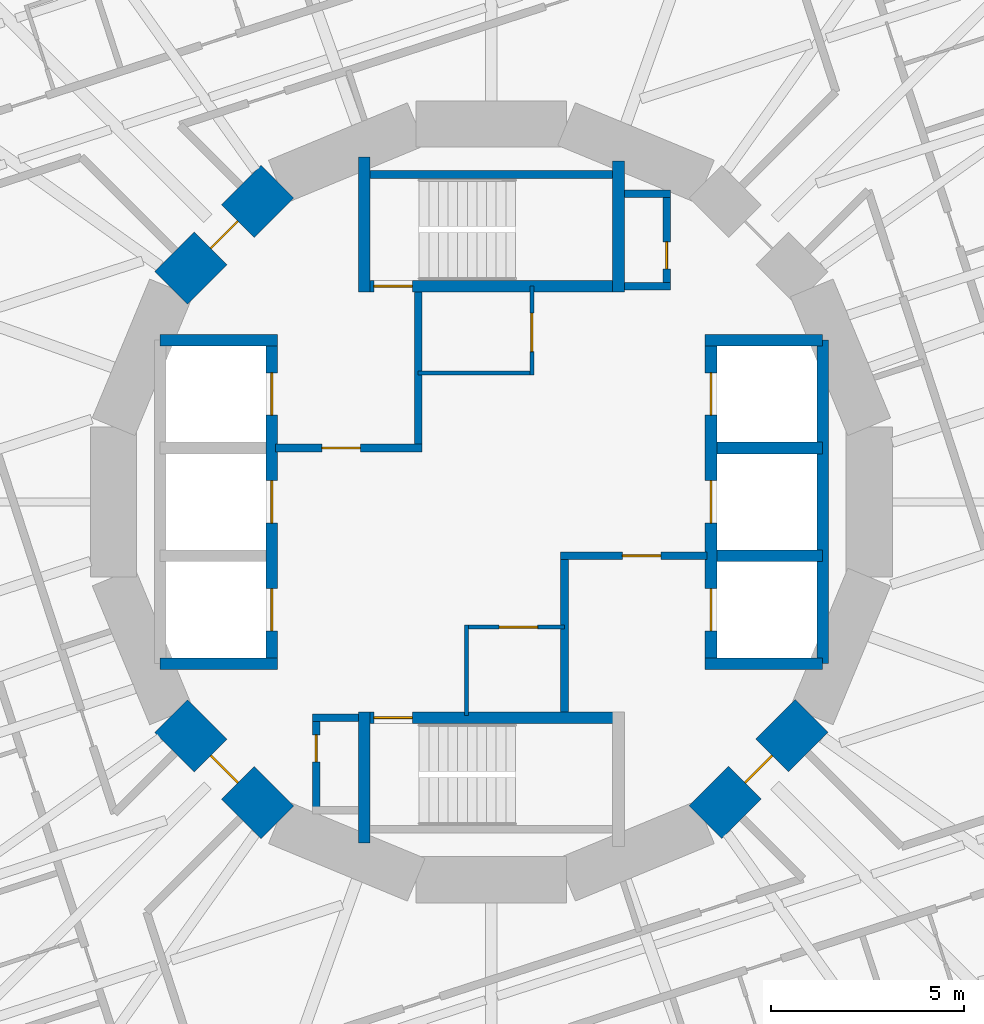
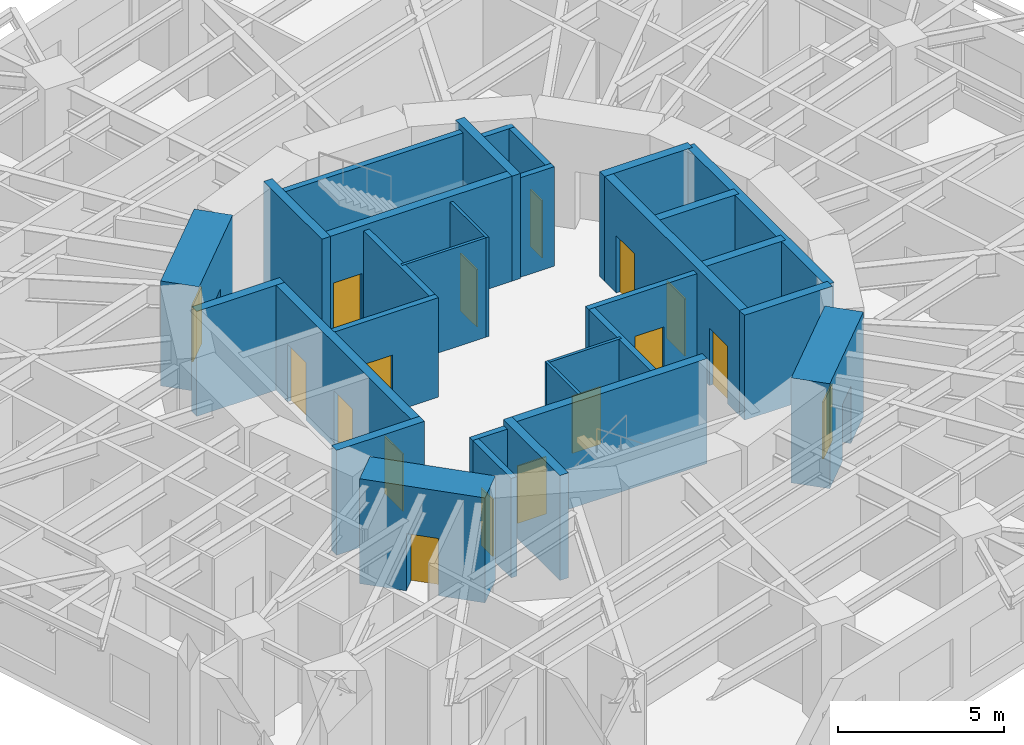
# One storey, part 6 of 10: 31 walls, 17 doors, 17 openings.
"""IFC4 building model written with IfcOpenShell, lengths in metres."""

from ifc_helpers import new_model, si_unit, direction, frame, frame_2d, origin, place, context, subcontext, project, spatial, rectangle, extrude, material, layer, layer_set, type_object, element, fill, save


model = new_model("IFC4")

# Units and contexts
model_context = context("Model", 3, precision=1e-05, world=origin(), true_north=direction((0.0, 1.0)))
body_context = subcontext(model_context, "Body", "Model", "MODEL_VIEW")
ifc_project = project(units=[si_unit("LENGTHUNIT", "METRE"), si_unit("AREAUNIT", "SQUARE_METRE"), si_unit("VOLUMEUNIT", "CUBIC_METRE"), si_unit("PLANEANGLEUNIT", "RADIAN"), si_unit("MASSUNIT", "GRAM", prefix="KILO")], contexts=[model_context])

# Site, building, storey
site_placement = place(None, origin())
site = spatial("IfcSite", under=ifc_project, at=site_placement, CompositionType="ELEMENT")
building_placement = place(site_placement, origin())
building = spatial("IfcBuilding", under=site, at=building_placement, Name="Nakasero Lantern House", CompositionType="ELEMENT")
storey_placement = place(building_placement, frame((0.0, 0.0, 141.800048828125)))
storey = spatial("IfcBuildingStorey", under=building, at=storey_placement, Name="L34", CompositionType="ELEMENT", Elevation=141.800048828125)

# Wall, openings, doors
ifc_material_1 = material(Name="Concrete C50/60", Category="concrete")
ifc_layer_1 = layer(ifc_material_1, 0.300048828125)
ifc_layer_set_1 = layer_set([ifc_layer_1], Name="Core inner wall 300")
wall_type_1 = type_object("IfcWallType", Name="Core inner wall 300", PredefinedType="SHEAR", material=ifc_layer_set_1)
wall_1_placement = place(storey_placement, frame((-5.699951171875, -4.199951171875, 0.0), z_axis=(0.0, 0.0, 1.0), x_axis=(0.0, 1.0, 0.0)))
wall_1 = element("IfcWall", 1, at=wall_1_placement, inside=storey, type_object=wall_type_1, Name="Core inner wall L34 LW", PredefinedType="SHEAR", context=body_context, shape_type="SweptSolid", body=[
    extrude(rectangle(XDim=8.39990234375, YDim=0.300048828125, at=frame_2d((4.199951171875, 0.0))), origin(), (0.0, 0.0, 1.0), 3.849853515625),
])
opening_1_placement = place(wall_1_placement, frame((0.85009765625, 0.0, 0.0)))
opening_1 = element("IfcOpeningElement", 2, at=opening_1_placement, cuts=wall_1, Name="Opening LD", PredefinedType="OPENING", context=body_context, shape_type="SweptSolid", body=[
    extrude(rectangle(XDim=1.10009765625, YDim=2.10009765625, at=frame_2d((0.550048828125, 1.050048828125))), frame((0.0, 0.169921875, 0.0), z_axis=(0.0, -1.0, 0.0), x_axis=(1.0, 0.0, 0.0)), (0.0, 0.0, 1.0), 0.340087890625),
])
opening_2_placement = place(wall_1_placement, frame((3.64990234375, 0.0, 0.0)))
opening_2 = element("IfcOpeningElement", 3, at=opening_2_placement, cuts=wall_1, Name="Opening LD", PredefinedType="OPENING", context=body_context, shape_type="SweptSolid", body=[
    extrude(rectangle(XDim=1.10009765625, YDim=2.10009765625, at=frame_2d((0.550048828125, 1.050048828125))), frame((0.0, 0.169921875, 0.0), z_axis=(0.0, -1.0, 0.0), x_axis=(1.0, 0.0, 0.0)), (0.0, 0.0, 1.0), 0.340087890625),
])
opening_3_placement = place(wall_1_placement, frame((6.449951171875, 0.0, 0.0)))
opening_3 = element("IfcOpeningElement", 4, at=opening_3_placement, cuts=wall_1, Name="Opening LD", PredefinedType="OPENING", context=body_context, shape_type="SweptSolid", body=[
    extrude(rectangle(XDim=1.10009765625, YDim=2.10009765625, at=frame_2d((0.550048828125, 1.050048828125))), frame((0.0, 0.169921875, 0.0), z_axis=(0.0, -1.0, 0.0), x_axis=(1.0, 0.0, 0.0)), (0.0, 0.0, 1.0), 0.340087890625),
])
ifc_material_2 = material(Name="Steel S355", Category="steel")
door_type_1 = type_object("IfcDoorType", Name="Lift landing door E120 1100", OperationType="SLIDING_TO_LEFT", PredefinedType="DOOR", material=ifc_material_2)
door_1_placement = place(opening_1_placement, origin())
door_1 = element("IfcDoor", 5, at=door_1_placement, inside=storey, type_object=door_type_1, Name="Lift landing door LW1", OperationType="SLIDING_TO_LEFT", OverallHeight=2.10009765625, OverallWidth=1.10009765625, PredefinedType="DOOR", context=body_context, shape_type="SweptSolid", body=[
    extrude(rectangle(XDim=1.10009765625, YDim=2.10009765625, at=frame_2d((0.550048828125, 1.050048828125))), frame((0.0, 0.02490234375, 0.0), z_axis=(0.0, -1.0, 0.0), x_axis=(1.0, 0.0, 0.0)), (0.0, 0.0, 1.0), 0.050048828125),
])
fill(opening_1, door_1)
door_2_placement = place(opening_2_placement, origin())
door_2 = element("IfcDoor", 6, at=door_2_placement, inside=storey, type_object=door_type_1, Name="Lift landing door LW2", OperationType="SLIDING_TO_LEFT", OverallHeight=2.10009765625, OverallWidth=1.10009765625, PredefinedType="DOOR", context=body_context, shape_type="SweptSolid", body=[
    extrude(rectangle(XDim=1.10009765625, YDim=2.10009765625, at=frame_2d((0.550048828125, 1.050048828125))), frame((0.0, 0.02490234375, 0.0), z_axis=(0.0, -1.0, 0.0), x_axis=(1.0, 0.0, 0.0)), (0.0, 0.0, 1.0), 0.050048828125),
])
fill(opening_2, door_2)
door_3_placement = place(opening_3_placement, origin())
door_3 = element("IfcDoor", 7, at=door_3_placement, inside=storey, type_object=door_type_1, Name="Lift landing door LW3", OperationType="SLIDING_TO_LEFT", OverallHeight=2.10009765625, OverallWidth=1.10009765625, PredefinedType="DOOR", context=body_context, shape_type="SweptSolid", body=[
    extrude(rectangle(XDim=1.10009765625, YDim=2.10009765625, at=frame_2d((0.550048828125, 1.050048828125))), frame((0.0, 0.02490234375, 0.0), z_axis=(0.0, -1.0, 0.0), x_axis=(1.0, 0.0, 0.0)), (0.0, 0.0, 1.0), 0.050048828125),
])
fill(opening_3, door_3)

wall_2_placement = place(storey_placement, frame((5.699951171875, -4.199951171875, 0.0), z_axis=(0.0, 0.0, 1.0), x_axis=(0.0, 1.0, 0.0)))
wall_2 = element("IfcWall", 8, at=wall_2_placement, inside=storey, type_object=wall_type_1, Name="Core inner wall L34 LE", PredefinedType="SHEAR", context=body_context, shape_type="SweptSolid", body=[
    extrude(rectangle(XDim=8.39990234375, YDim=0.300048828125, at=frame_2d((4.199951171875, 0.0))), origin(), (0.0, 0.0, 1.0), 3.849853515625),
])
opening_4_placement = place(wall_2_placement, frame((0.85009765625, 0.0, 0.0)))
opening_4 = element("IfcOpeningElement", 9, at=opening_4_placement, cuts=wall_2, Name="Opening LD", PredefinedType="OPENING", context=body_context, shape_type="SweptSolid", body=[
    extrude(rectangle(XDim=1.10009765625, YDim=2.10009765625, at=frame_2d((0.550048828125, 1.050048828125))), frame((0.0, 0.169921875, 0.0), z_axis=(0.0, -1.0, 0.0), x_axis=(1.0, 0.0, 0.0)), (0.0, 0.0, 1.0), 0.340087890625),
])
opening_5_placement = place(wall_2_placement, frame((3.64990234375, 0.0, 0.0)))
opening_5 = element("IfcOpeningElement", 10, at=opening_5_placement, cuts=wall_2, Name="Opening LD", PredefinedType="OPENING", context=body_context, shape_type="SweptSolid", body=[
    extrude(rectangle(XDim=1.10009765625, YDim=2.10009765625, at=frame_2d((0.550048828125, 1.050048828125))), frame((0.0, 0.169921875, 0.0), z_axis=(0.0, -1.0, 0.0), x_axis=(1.0, 0.0, 0.0)), (0.0, 0.0, 1.0), 0.340087890625),
])
opening_6_placement = place(wall_2_placement, frame((6.449951171875, 0.0, 0.0)))
opening_6 = element("IfcOpeningElement", 11, at=opening_6_placement, cuts=wall_2, Name="Opening LD", PredefinedType="OPENING", context=body_context, shape_type="SweptSolid", body=[
    extrude(rectangle(XDim=1.10009765625, YDim=2.10009765625, at=frame_2d((0.550048828125, 1.050048828125))), frame((0.0, 0.169921875, 0.0), z_axis=(0.0, -1.0, 0.0), x_axis=(1.0, 0.0, 0.0)), (0.0, 0.0, 1.0), 0.340087890625),
])
door_4_placement = place(opening_4_placement, origin())
door_4 = element("IfcDoor", 12, at=door_4_placement, inside=storey, type_object=door_type_1, Name="Lift landing door LE1", OperationType="SLIDING_TO_LEFT", OverallHeight=2.10009765625, OverallWidth=1.10009765625, PredefinedType="DOOR", context=body_context, shape_type="SweptSolid", body=[
    extrude(rectangle(XDim=1.10009765625, YDim=2.10009765625, at=frame_2d((0.550048828125, 1.050048828125))), frame((0.0, 0.02490234375, 0.0), z_axis=(0.0, -1.0, 0.0), x_axis=(1.0, 0.0, 0.0)), (0.0, 0.0, 1.0), 0.050048828125),
])
fill(opening_4, door_4)
door_5_placement = place(opening_5_placement, origin())
door_5 = element("IfcDoor", 13, at=door_5_placement, inside=storey, type_object=door_type_1, Name="Lift landing door LE2", OperationType="SLIDING_TO_LEFT", OverallHeight=2.10009765625, OverallWidth=1.10009765625, PredefinedType="DOOR", context=body_context, shape_type="SweptSolid", body=[
    extrude(rectangle(XDim=1.10009765625, YDim=2.10009765625, at=frame_2d((0.550048828125, 1.050048828125))), frame((0.0, 0.02490234375, 0.0), z_axis=(0.0, -1.0, 0.0), x_axis=(1.0, 0.0, 0.0)), (0.0, 0.0, 1.0), 0.050048828125),
])
fill(opening_5, door_5)
door_6_placement = place(opening_6_placement, origin())
door_6 = element("IfcDoor", 14, at=door_6_placement, inside=storey, type_object=door_type_1, Name="Lift landing door LE3", OperationType="SLIDING_TO_LEFT", OverallHeight=2.10009765625, OverallWidth=1.10009765625, PredefinedType="DOOR", context=body_context, shape_type="SweptSolid", body=[
    extrude(rectangle(XDim=1.10009765625, YDim=2.10009765625, at=frame_2d((0.550048828125, 1.050048828125))), frame((0.0, 0.02490234375, 0.0), z_axis=(0.0, -1.0, 0.0), x_axis=(1.0, 0.0, 0.0)), (0.0, 0.0, 1.0), 0.050048828125),
])
fill(opening_6, door_6)

# Walls
for number, where, z_axis, x_axis, name in (
    (15, (-8.60009765625, 4.199951171875, 0.0), (0.0, 0.0, 1.0), (1.0, 0.0, 0.0), "Core inner wall L34 LWN"),
    (16, (-8.60009765625, -4.199951171875, 0.0), (0.0, 0.0, 1.0), (1.0, 0.0, 0.0), "Core inner wall L34 LWS"),
    (17, (5.550048828125, 4.199951171875, 0.0), (0.0, 0.0, 1.0), (1.0, 0.0, 0.0), "Core inner wall L34 LEN"),
    (18, (5.550048828125, -4.199951171875, 0.0), (0.0, 0.0, 1.0), (1.0, 0.0, 0.0), "Core inner wall L34 LES"),
):
    element("IfcWall", number, at=place(storey_placement, frame(where, z_axis=z_axis, x_axis=x_axis)), inside=storey, type_object=wall_type_1, Name=name, PredefinedType="SHEAR", context=body_context, shape_type="SweptSolid", body=[
        extrude(rectangle(XDim=3.050048828125, YDim=0.300048828125, at=frame_2d((1.52490234375, 0.0))), origin(), (0.0, 0.0, 1.0), 3.849853515625),
    ])
wall_3_placement = place(storey_placement, frame((8.60009765625, -4.199951171875, 0.0), z_axis=(0.0, 0.0, 1.0), x_axis=(0.0, 1.0, 0.0)))
element("IfcWall", 19, at=wall_3_placement, inside=storey, type_object=wall_type_1, Name="Core inner wall L34 LEB", PredefinedType="SHEAR", context=body_context, shape_type="SweptSolid", body=[
    extrude(rectangle(XDim=8.39990234375, YDim=0.300048828125, at=frame_2d((4.199951171875, 0.0))), origin(), (0.0, 0.0, 1.0), 3.849853515625),
])
for number, where, z_axis, x_axis, name in (
    (20, (5.85009765625, -1.39990234375, 0.0), (0.0, 0.0, 1.0), (1.0, 0.0, 0.0), "Core inner wall L34 LE1"),
    (21, (5.85009765625, 1.39990234375, 0.0), (0.0, 0.0, 1.0), (1.0, 0.0, 0.0), "Core inner wall L34 LE2"),
):
    element("IfcWall", number, at=place(storey_placement, frame(where, z_axis=z_axis, x_axis=x_axis)), inside=storey, type_object=wall_type_1, Name=name, PredefinedType="SHEAR", context=body_context, shape_type="SweptSolid", body=[
        extrude(rectangle(XDim=2.75, YDim=0.300048828125, at=frame_2d((1.375, 0.0))), origin(), (0.0, 0.0, 1.0), 3.849853515625),
    ])

# Wall, opening, door
wall_4_placement = place(storey_placement, frame((-3.449951171875, 5.60009765625, 0.0), z_axis=(0.0, 0.0, 1.0), x_axis=(1.0, 0.0, 0.0)))
wall_4 = element("IfcWall", 22, at=wall_4_placement, inside=storey, type_object=wall_type_1, Name="Core inner wall L34 SN", PredefinedType="SHEAR", context=body_context, shape_type="SweptSolid", body=[
    extrude(rectangle(XDim=6.89990234375, YDim=0.300048828125, at=frame_2d((3.449951171875, 0.0))), origin(), (0.0, 0.0, 1.0), 3.849853515625),
])
opening_7_placement = place(wall_4_placement, frame((0.39990234375, 0.0, 0.0)))
opening_7 = element("IfcOpeningElement", 23, at=opening_7_placement, cuts=wall_4, Name="Opening D05", PredefinedType="OPENING", context=body_context, shape_type="SweptSolid", body=[
    extrude(rectangle(XDim=1.0, YDim=2.10009765625, at=frame_2d((0.5, 1.050048828125))), frame((0.0, 0.169921875, 0.0), z_axis=(0.0, -1.0, 0.0), x_axis=(1.0, 0.0, 0.0)), (0.0, 0.0, 1.0), 0.340087890625),
])
ifc_material_3 = material(Name="Timber C24", Category="wood")
door_type_2 = type_object("IfcDoorType", Name="Core door FD60S 1000", OperationType="SINGLE_SWING_LEFT", PredefinedType="DOOR", material=ifc_material_3)
door_7_placement = place(opening_7_placement, origin())
door_7 = element("IfcDoor", 24, at=door_7_placement, inside=storey, type_object=door_type_2, Name="Door L34 D-ST1", OperationType="SINGLE_SWING_LEFT", OverallHeight=2.10009765625, OverallWidth=1.0, PredefinedType="DOOR", context=body_context, shape_type="SweptSolid", body=[
    extrude(rectangle(XDim=1.0, YDim=2.10009765625, at=frame_2d((0.5, 1.050048828125))), frame((0.0, 0.02490234375, 0.0), z_axis=(0.0, -1.0, 0.0), x_axis=(1.0, 0.0, 0.0)), (0.0, 0.0, 1.0), 0.050048828125),
])
fill(opening_7, door_7)

# Walls
wall_5_placement = place(storey_placement, frame((-3.300048828125, 5.449951171875, 0.0), z_axis=(0.0, 0.0, 1.0), x_axis=(0.0, 1.0, 0.0)))
element("IfcWall", 25, at=wall_5_placement, inside=storey, type_object=wall_type_1, Name="Core inner wall L34 SNW", PredefinedType="SHEAR", context=body_context, shape_type="SweptSolid", body=[
    extrude(rectangle(XDim=3.5, YDim=0.300048828125, at=frame_2d((1.75, 0.0))), origin(), (0.0, 0.0, 1.0), 3.849853515625),
])
wall_6_placement = place(storey_placement, frame((3.300048828125, 5.449951171875, 0.0), z_axis=(0.0, 0.0, 1.0), x_axis=(0.0, 1.0, 0.0)))
element("IfcWall", 26, at=wall_6_placement, inside=storey, type_object=wall_type_1, Name="Core inner wall L34 SNE", PredefinedType="SHEAR", context=body_context, shape_type="SweptSolid", body=[
    extrude(rectangle(XDim=3.400146484375, YDim=0.300048828125, at=frame_2d((1.7001953125, 0.0))), origin(), (0.0, 0.0, 1.0), 3.849853515625),
])

# Wall, opening, door
wall_7_placement = place(storey_placement, frame((-3.449951171875, -5.60009765625, 0.0), z_axis=(0.0, 0.0, 1.0), x_axis=(1.0, 0.0, 0.0)))
wall_7 = element("IfcWall", 27, at=wall_7_placement, inside=storey, type_object=wall_type_1, Name="Core inner wall L34 SS", PredefinedType="SHEAR", context=body_context, shape_type="SweptSolid", body=[
    extrude(rectangle(XDim=6.89990234375, YDim=0.300048828125, at=frame_2d((3.449951171875, 0.0))), origin(), (0.0, 0.0, 1.0), 3.849853515625),
])
opening_8_placement = place(wall_7_placement, frame((0.39990234375, 0.0, 0.0)))
opening_8 = element("IfcOpeningElement", 28, at=opening_8_placement, cuts=wall_7, Name="Opening D05", PredefinedType="OPENING", context=body_context, shape_type="SweptSolid", body=[
    extrude(rectangle(XDim=1.0, YDim=2.10009765625, at=frame_2d((0.5, 1.050048828125))), frame((0.0, 0.169921875, 0.0), z_axis=(0.0, -1.0, 0.0), x_axis=(1.0, 0.0, 0.0)), (0.0, 0.0, 1.0), 0.340087890625),
])
door_8_placement = place(opening_8_placement, origin())
door_8 = element("IfcDoor", 29, at=door_8_placement, inside=storey, type_object=door_type_2, Name="Door L34 D-ST2", OperationType="SINGLE_SWING_LEFT", OverallHeight=2.10009765625, OverallWidth=1.0, PredefinedType="DOOR", context=body_context, shape_type="SweptSolid", body=[
    extrude(rectangle(XDim=1.0, YDim=2.10009765625, at=frame_2d((0.5, 1.050048828125))), frame((0.0, 0.02490234375, 0.0), z_axis=(0.0, -1.0, 0.0), x_axis=(1.0, 0.0, 0.0)), (0.0, 0.0, 1.0), 0.050048828125),
])
fill(opening_8, door_8)

# Walls
wall_8_placement = place(storey_placement, frame((-3.300048828125, -5.449951171875, 0.0), z_axis=(0.0, 0.0, 1.0), x_axis=(0.0, -1.0, 0.0)))
element("IfcWall", 30, at=wall_8_placement, inside=storey, type_object=wall_type_1, Name="Core inner wall L34 SSW", PredefinedType="SHEAR", context=body_context, shape_type="SweptSolid", body=[
    extrude(rectangle(XDim=3.400146484375, YDim=0.300048828125, at=frame_2d((1.7001953125, 0.0))), origin(), (0.0, 0.0, 1.0), 3.849853515625),
])
ifc_material_4 = material(Name="Blockwork", Category="masonry")
ifc_layer_2 = layer(ifc_material_4, 0.10009765625)
ifc_layer_set_2 = layer_set([ifc_layer_2], Name="Core room wall 100")
wall_type_2 = type_object("IfcWallType", Name="Core room wall 100", PredefinedType="PARTITIONING", material=ifc_layer_set_2)
wall_9_placement = place(storey_placement, frame((-1.89990234375, 3.35009765625, 0.0), z_axis=(0.0, 0.0, 1.0), x_axis=(1.0, 0.0, 0.0)))
element("IfcWall", 31, at=wall_9_placement, inside=storey, type_object=wall_type_2, Name="Core room wall L34 CR-NES", PredefinedType="PARTITIONING", context=body_context, shape_type="SweptSolid", body=[
    extrude(rectangle(XDim=3.0, YDim=0.10009765625, at=frame_2d((1.5, 0.0))), origin(), (0.0, 0.0, 1.0), 3.64990234375),
])

# Wall, opening, door
wall_10_placement = place(storey_placement, frame((1.050048828125, 3.300048828125, 0.0), z_axis=(0.0, 0.0, 1.0), x_axis=(0.0, 1.0, 0.0)))
wall_10 = element("IfcWall", 32, at=wall_10_placement, inside=storey, type_object=wall_type_2, Name="Core room wall L34 CR-NEE", PredefinedType="PARTITIONING", context=body_context, shape_type="SweptSolid", body=[
    extrude(rectangle(XDim=2.300048828125, YDim=0.10009765625, at=frame_2d((1.14990234375, 0.0))), origin(), (0.0, 0.0, 1.0), 3.64990234375),
])
opening_9_placement = place(wall_10_placement, frame((0.60009765625, 0.0, 0.0)))
opening_9 = element("IfcOpeningElement", 33, at=opening_9_placement, cuts=wall_10, Name="Opening D13", PredefinedType="OPENING", context=body_context, shape_type="SweptSolid", body=[
    extrude(rectangle(XDim=1.0, YDim=2.10009765625, at=frame_2d((0.5, 1.050048828125))), frame((0.0, 0.070068359375, 0.0), z_axis=(0.0, -1.0, 0.0), x_axis=(1.0, 0.0, 0.0)), (0.0, 0.0, 1.0), 0.14013671875),
])
ifc_material_5 = material(Name="Steel S355", Category="steel")
door_type_3 = type_object("IfcDoorType", Name="Plant room door FD60 1000", OperationType="SINGLE_SWING_LEFT", PredefinedType="DOOR", material=ifc_material_5)
door_9_placement = place(opening_9_placement, origin())
door_9 = element("IfcDoor", 34, at=door_9_placement, inside=storey, type_object=door_type_3, Name="Door L34 D-CR-NE", OperationType="SINGLE_SWING_LEFT", OverallHeight=2.10009765625, OverallWidth=1.0, PredefinedType="DOOR", context=body_context, shape_type="SweptSolid", body=[
    extrude(rectangle(XDim=1.0, YDim=2.10009765625, at=frame_2d((0.5, 1.050048828125))), frame((0.0, 0.02490234375, 0.0), z_axis=(0.0, -1.0, 0.0), x_axis=(1.0, 0.0, 0.0)), (0.0, 0.0, 1.0), 0.050048828125),
])
fill(opening_9, door_9)

wall_11_placement = place(storey_placement, frame((-0.699951171875, -3.25, 0.0), z_axis=(0.0, 0.0, 1.0), x_axis=(1.0, 0.0, 0.0)))
wall_11 = element("IfcWall", 35, at=wall_11_placement, inside=storey, type_object=wall_type_2, Name="Core room wall L34 CR-SWN", PredefinedType="PARTITIONING", context=body_context, shape_type="SweptSolid", body=[
    extrude(rectangle(XDim=2.599853515625, YDim=0.10009765625, at=frame_2d((1.2998046875, 0.0))), origin(), (0.0, 0.0, 1.0), 3.64990234375),
])
opening_10_placement = place(wall_11_placement, frame((0.89990234375, 0.0, 0.0)))
opening_10 = element("IfcOpeningElement", 36, at=opening_10_placement, cuts=wall_11, Name="Opening D07", PredefinedType="OPENING", context=body_context, shape_type="SweptSolid", body=[
    extrude(rectangle(XDim=1.0, YDim=2.10009765625, at=frame_2d((0.5, 1.050048828125))), frame((0.0, 0.070068359375, 0.0), z_axis=(0.0, -1.0, 0.0), x_axis=(1.0, 0.0, 0.0)), (0.0, 0.0, 1.0), 0.14013671875),
])
ifc_material_6 = material(Name="Timber C24", Category="wood")
door_type_4 = type_object("IfcDoorType", Name="Room door FD30S 1000", OperationType="SINGLE_SWING_LEFT", PredefinedType="DOOR", material=ifc_material_6)
door_10_placement = place(opening_10_placement, origin())
door_10 = element("IfcDoor", 37, at=door_10_placement, inside=storey, type_object=door_type_4, Name="Door L34 D-CR-SW", OperationType="SINGLE_SWING_RIGHT", OverallHeight=2.10009765625, OverallWidth=1.0, PredefinedType="DOOR", context=body_context, shape_type="SweptSolid", body=[
    extrude(rectangle(XDim=1.0, YDim=2.10009765625, at=frame_2d((0.5, 1.050048828125))), frame((0.0, 0.02490234375, 0.0), z_axis=(0.0, -1.0, 0.0), x_axis=(1.0, 0.0, 0.0)), (0.0, 0.0, 1.0), 0.050048828125),
])
fill(opening_10, door_10)

# Wall
wall_12_placement = place(storey_placement, frame((-0.64990234375, -5.550048828125, 0.0), z_axis=(0.0, 0.0, 1.0), x_axis=(0.0, 1.0, 0.0)))
element("IfcWall", 38, at=wall_12_placement, inside=storey, type_object=wall_type_2, Name="Core room wall L34 CR-SWW", PredefinedType="PARTITIONING", context=body_context, shape_type="SweptSolid", body=[
    extrude(rectangle(XDim=2.35009765625, YDim=0.10009765625, at=frame_2d((1.175048828125, 0.0))), origin(), (0.0, 0.0, 1.0), 3.64990234375),
])

# Wall, opening, door
ifc_material_7 = material(Name="Concrete C50/60", Category="concrete")
ifc_layer_3 = layer(ifc_material_7, 1.199951171875)
ifc_layer_set_3 = layer_set([ifc_layer_3], Name="Core wall 1200")
wall_type_3 = type_object("IfcWallType", Name="Core wall 1200", PredefinedType="SHEAR", material=ifc_layer_set_3)
wall_13_placement = place(storey_placement, frame((-5.5556640625, 8.314697265625, 0.0), z_axis=(0.0, 0.0, 1.0), x_axis=(-0.707106781187, -0.707106781187, 0.0)))
wall_13 = element("IfcWall", 39, at=wall_13_placement, inside=storey, type_object=wall_type_3, Name="Core wall L34 facet 6", PredefinedType="SHEAR", context=body_context, shape_type="SweptSolid", body=[
    extrude(rectangle(XDim=3.90185546875, YDim=1.199951171875, at=frame_2d((1.950927734375, 0.0))), origin(), (0.0, 0.0, 1.0), 3.849853515625),
])
opening_11_placement = place(wall_13_placement, frame((1.450927734375, 0.0, 0.0)))
opening_11 = element("IfcOpeningElement", 40, at=opening_11_placement, cuts=wall_13, Name="Opening D05", PredefinedType="OPENING", context=body_context, shape_type="SweptSolid", body=[
    extrude(rectangle(XDim=1.0, YDim=2.10009765625, at=frame_2d((0.5, 1.050048828125))), frame((0.0, 0.619873046875, 0.0), z_axis=(0.0, -1.0, 0.0), x_axis=(1.0, 0.0, 0.0)), (0.0, 0.0, 1.0), 1.239990234375),
])
door_11_placement = place(opening_11_placement, origin())
door_11 = element("IfcDoor", 41, at=door_11_placement, inside=storey, type_object=door_type_2, Name="Door L34 D-CORE06", OperationType="SINGLE_SWING_LEFT", OverallHeight=2.10009765625, OverallWidth=1.0, PredefinedType="DOOR", context=body_context, shape_type="SweptSolid", body=[
    extrude(rectangle(XDim=1.0, YDim=2.10009765625, at=frame_2d((0.5, 1.050048828125))), frame((0.0, 0.02490234375, 0.0), z_axis=(0.0, -1.0, 0.0), x_axis=(1.0, 0.0, 0.0)), (0.0, 0.0, 1.0), 0.050048828125),
])
fill(opening_11, door_11)

wall_14_placement = place(storey_placement, frame((-8.314697265625, -5.5556640625, 0.0), z_axis=(0.0, 0.0, 1.0), x_axis=(0.707106781187, -0.707106781187, 0.0)))
wall_14 = element("IfcWall", 42, at=wall_14_placement, inside=storey, type_object=wall_type_3, Name="Core wall L34 facet 10", PredefinedType="SHEAR", context=body_context, shape_type="SweptSolid", body=[
    extrude(rectangle(XDim=3.90185546875, YDim=1.199951171875, at=frame_2d((1.950927734375, 0.0))), origin(), (0.0, 0.0, 1.0), 3.849853515625),
])
opening_12_placement = place(wall_14_placement, frame((1.450927734375, 0.0, 0.0)))
opening_12 = element("IfcOpeningElement", 43, at=opening_12_placement, cuts=wall_14, Name="Opening D05", PredefinedType="OPENING", context=body_context, shape_type="SweptSolid", body=[
    extrude(rectangle(XDim=1.0, YDim=2.10009765625, at=frame_2d((0.5, 1.050048828125))), frame((0.0, 0.619873046875, 0.0), z_axis=(0.0, -1.0, 0.0), x_axis=(1.0, 0.0, 0.0)), (0.0, 0.0, 1.0), 1.239990234375),
])
door_12_placement = place(opening_12_placement, origin())
door_12 = element("IfcDoor", 44, at=door_12_placement, inside=storey, type_object=door_type_2, Name="Door L34 D-CORE10", OperationType="SINGLE_SWING_LEFT", OverallHeight=2.10009765625, OverallWidth=1.0, PredefinedType="DOOR", context=body_context, shape_type="SweptSolid", body=[
    extrude(rectangle(XDim=1.0, YDim=2.10009765625, at=frame_2d((0.5, 1.050048828125))), frame((0.0, 0.02490234375, 0.0), z_axis=(0.0, -1.0, 0.0), x_axis=(1.0, 0.0, 0.0)), (0.0, 0.0, 1.0), 0.050048828125),
])
fill(opening_12, door_12)

wall_15_placement = place(storey_placement, frame((5.5556640625, -8.314697265625, 0.0), z_axis=(0.0, 0.0, 1.0), x_axis=(0.707106781187, 0.707106781187, 0.0)))
wall_15 = element("IfcWall", 45, at=wall_15_placement, inside=storey, type_object=wall_type_3, Name="Core wall L34 facet 14", PredefinedType="SHEAR", context=body_context, shape_type="SweptSolid", body=[
    extrude(rectangle(XDim=3.90185546875, YDim=1.199951171875, at=frame_2d((1.950927734375, 0.0))), origin(), (0.0, 0.0, 1.0), 3.849853515625),
])
opening_13_placement = place(wall_15_placement, frame((1.450927734375, 0.0, 0.0)))
opening_13 = element("IfcOpeningElement", 46, at=opening_13_placement, cuts=wall_15, Name="Opening D05", PredefinedType="OPENING", context=body_context, shape_type="SweptSolid", body=[
    extrude(rectangle(XDim=1.0, YDim=2.10009765625, at=frame_2d((0.5, 1.050048828125))), frame((0.0, 0.619873046875, 0.0), z_axis=(0.0, -1.0, 0.0), x_axis=(1.0, 0.0, 0.0)), (0.0, 0.0, 1.0), 1.239990234375),
])
door_13_placement = place(opening_13_placement, origin())
door_13 = element("IfcDoor", 47, at=door_13_placement, inside=storey, type_object=door_type_2, Name="Door L34 D-CORE14", OperationType="SINGLE_SWING_LEFT", OverallHeight=2.10009765625, OverallWidth=1.0, PredefinedType="DOOR", context=body_context, shape_type="SweptSolid", body=[
    extrude(rectangle(XDim=1.0, YDim=2.10009765625, at=frame_2d((0.5, 1.050048828125))), frame((0.0, 0.02490234375, 0.0), z_axis=(0.0, -1.0, 0.0), x_axis=(1.0, 0.0, 0.0)), (0.0, 0.0, 1.0), 0.050048828125),
])
fill(opening_13, door_13)

ifc_material_8 = material(Name="Blockwork", Category="masonry")
ifc_layer_4 = layer(ifc_material_8, 0.199951171875)
ifc_layer_set_4 = layer_set([ifc_layer_4], Name="Fire lobby wall 200")
wall_type_4 = type_object("IfcWallType", Name="Fire lobby wall 200", PredefinedType="PARTITIONING", material=ifc_layer_set_4)
wall_16_placement = place(storey_placement, frame((-5.60009765625, 1.39990234375, 0.0), z_axis=(0.0, 0.0, 1.0), x_axis=(1.0, 0.0, 0.0)))
wall_16 = element("IfcWall", 48, at=wall_16_placement, inside=storey, type_object=wall_type_4, Name="Fire lobby wall L34 W-FL1S", PredefinedType="PARTITIONING", context=body_context, shape_type="SweptSolid", body=[
    extrude(rectangle(XDim=3.800048828125, YDim=0.199951171875, at=frame_2d((1.89990234375, 0.0))), origin(), (0.0, 0.0, 1.0), 3.64990234375),
])
opening_14_placement = place(wall_16_placement, frame((1.199951171875, 0.0, 0.0)))
opening_14 = element("IfcOpeningElement", 49, at=opening_14_placement, cuts=wall_16, Name="Opening D05", PredefinedType="OPENING", context=body_context, shape_type="SweptSolid", body=[
    extrude(rectangle(XDim=1.0, YDim=2.10009765625, at=frame_2d((0.5, 1.050048828125))), frame((0.0, 0.119873046875, 0.0), z_axis=(0.0, -1.0, 0.0), x_axis=(1.0, 0.0, 0.0)), (0.0, 0.0, 1.0), 0.239990234375),
])
door_14_placement = place(opening_14_placement, origin())
door_14 = element("IfcDoor", 50, at=door_14_placement, inside=storey, type_object=door_type_2, Name="Door L34 D-FL1", OperationType="SINGLE_SWING_LEFT", OverallHeight=2.10009765625, OverallWidth=1.0, PredefinedType="DOOR", context=body_context, shape_type="SweptSolid", body=[
    extrude(rectangle(XDim=1.0, YDim=2.10009765625, at=frame_2d((0.5, 1.050048828125))), frame((0.0, 0.02490234375, 0.0), z_axis=(0.0, -1.0, 0.0), x_axis=(1.0, 0.0, 0.0)), (0.0, 0.0, 1.0), 0.050048828125),
])
fill(opening_14, door_14)

# Wall
wall_17_placement = place(storey_placement, frame((-1.89990234375, 1.5, 0.0), z_axis=(0.0, 0.0, 1.0), x_axis=(0.0, 1.0, 0.0)))
element("IfcWall", 51, at=wall_17_placement, inside=storey, type_object=wall_type_4, Name="Fire lobby wall L34 W-FL1E", PredefinedType="PARTITIONING", context=body_context, shape_type="SweptSolid", body=[
    extrude(rectangle(XDim=3.949951171875, YDim=0.199951171875, at=frame_2d((1.97509765625, 0.0))), origin(), (0.0, 0.0, 1.0), 3.64990234375),
])

# Wall, opening, door
wall_18_placement = place(storey_placement, frame((5.60009765625, -1.39990234375, 0.0), z_axis=(0.0, 0.0, 1.0), x_axis=(-1.0, 0.0, 0.0)))
wall_18 = element("IfcWall", 52, at=wall_18_placement, inside=storey, type_object=wall_type_4, Name="Fire lobby wall L34 W-FL2N", PredefinedType="PARTITIONING", context=body_context, shape_type="SweptSolid", body=[
    extrude(rectangle(XDim=3.800048828125, YDim=0.199951171875, at=frame_2d((1.89990234375, 0.0))), origin(), (0.0, 0.0, 1.0), 3.64990234375),
])
opening_15_placement = place(wall_18_placement, frame((1.199951171875, 0.0, 0.0)))
opening_15 = element("IfcOpeningElement", 53, at=opening_15_placement, cuts=wall_18, Name="Opening D05", PredefinedType="OPENING", context=body_context, shape_type="SweptSolid", body=[
    extrude(rectangle(XDim=1.0, YDim=2.10009765625, at=frame_2d((0.5, 1.050048828125))), frame((0.0, 0.119873046875, 0.0), z_axis=(0.0, -1.0, 0.0), x_axis=(1.0, 0.0, 0.0)), (0.0, 0.0, 1.0), 0.239990234375),
])
door_15_placement = place(opening_15_placement, origin())
door_15 = element("IfcDoor", 54, at=door_15_placement, inside=storey, type_object=door_type_2, Name="Door L34 D-FL2", OperationType="SINGLE_SWING_LEFT", OverallHeight=2.10009765625, OverallWidth=1.0, PredefinedType="DOOR", context=body_context, shape_type="SweptSolid", body=[
    extrude(rectangle(XDim=1.0, YDim=2.10009765625, at=frame_2d((0.5, 1.050048828125))), frame((0.0, 0.02490234375, 0.0), z_axis=(0.0, -1.0, 0.0), x_axis=(1.0, 0.0, 0.0)), (0.0, 0.0, 1.0), 0.050048828125),
])
fill(opening_15, door_15)

# Wall
wall_19_placement = place(storey_placement, frame((1.89990234375, -1.5, 0.0), z_axis=(0.0, 0.0, 1.0), x_axis=(0.0, -1.0, 0.0)))
element("IfcWall", 55, at=wall_19_placement, inside=storey, type_object=wall_type_4, Name="Fire lobby wall L34 W-FL2W", PredefinedType="PARTITIONING", context=body_context, shape_type="SweptSolid", body=[
    extrude(rectangle(XDim=3.949951171875, YDim=0.199951171875, at=frame_2d((1.97509765625, 0.0))), origin(), (0.0, 0.0, 1.0), 3.64990234375),
])

# Wall, opening, door
wall_20_placement = place(storey_placement, frame((4.550048828125, 5.60009765625, 0.0), z_axis=(0.0, 0.0, 1.0), x_axis=(0.0, 1.0, 0.0)))
wall_20 = element("IfcWall", 56, at=wall_20_placement, inside=storey, type_object=wall_type_4, Name="Fire lobby wall L34 W-RS1E", PredefinedType="PARTITIONING", context=body_context, shape_type="SweptSolid", body=[
    extrude(rectangle(XDim=2.39990234375, YDim=0.199951171875, at=frame_2d((1.199951171875, 0.0))), origin(), (0.0, 0.0, 1.0), 3.64990234375),
])
opening_16_placement = place(wall_20_placement, frame((0.449951171875, 0.0, 0.0)))
opening_16 = element("IfcOpeningElement", 57, at=opening_16_placement, cuts=wall_20, Name="Opening D06", PredefinedType="OPENING", context=body_context, shape_type="SweptSolid", body=[
    extrude(rectangle(XDim=0.699951171875, YDim=2.10009765625, at=frame_2d((0.35009765625, 1.050048828125))), frame((0.0, 0.119873046875, 0.0), z_axis=(0.0, -1.0, 0.0), x_axis=(1.0, 0.0, 0.0)), (0.0, 0.0, 1.0), 0.239990234375),
])
ifc_material_9 = material(Name="Steel S355", Category="steel")
door_type_5 = type_object("IfcDoorType", Name="Riser door FD60 700", OperationType="SINGLE_SWING_LEFT", PredefinedType="DOOR", material=ifc_material_9)
door_16_placement = place(opening_16_placement, origin())
door_16 = element("IfcDoor", 58, at=door_16_placement, inside=storey, type_object=door_type_5, Name="Door L34 D-RS1", OperationType="SINGLE_SWING_LEFT", OverallHeight=2.10009765625, OverallWidth=0.699951171875, PredefinedType="DOOR", context=body_context, shape_type="SweptSolid", body=[
    extrude(rectangle(XDim=0.699951171875, YDim=2.10009765625, at=frame_2d((0.35009765625, 1.050048828125))), frame((0.0, 0.02490234375, 0.0), z_axis=(0.0, -1.0, 0.0), x_axis=(1.0, 0.0, 0.0)), (0.0, 0.0, 1.0), 0.050048828125),
])
fill(opening_16, door_16)

# Walls
for number, where, z_axis, x_axis, name in (
    (59, (3.449951171875, 8.0, 0.0), (0.0, 0.0, 1.0), (1.0, 0.0, 0.0), "Fire lobby wall L34 W-RS1N"),
    (60, (3.449951171875, 5.60009765625, 0.0), (0.0, 0.0, 1.0), (1.0, 0.0, 0.0), "Fire lobby wall L34 W-RS1S"),
):
    element("IfcWall", number, at=place(storey_placement, frame(where, z_axis=z_axis, x_axis=x_axis)), inside=storey, type_object=wall_type_4, Name=name, PredefinedType="PARTITIONING", context=body_context, shape_type="SweptSolid", body=[
        extrude(rectangle(XDim=1.199951171875, YDim=0.199951171875, at=frame_2d((0.60009765625, 0.0))), origin(), (0.0, 0.0, 1.0), 3.64990234375),
    ])

# Wall, opening, door
wall_21_placement = place(storey_placement, frame((-4.550048828125, -5.60009765625, 0.0), z_axis=(0.0, 0.0, 1.0), x_axis=(0.0, -1.0, 0.0)))
wall_21 = element("IfcWall", 61, at=wall_21_placement, inside=storey, type_object=wall_type_4, Name="Fire lobby wall L34 W-RS2W", PredefinedType="PARTITIONING", context=body_context, shape_type="SweptSolid", body=[
    extrude(rectangle(XDim=2.39990234375, YDim=0.199951171875, at=frame_2d((1.199951171875, 0.0))), origin(), (0.0, 0.0, 1.0), 3.64990234375),
])
opening_17_placement = place(wall_21_placement, frame((0.449951171875, 0.0, 0.0)))
opening_17 = element("IfcOpeningElement", 62, at=opening_17_placement, cuts=wall_21, Name="Opening D06", PredefinedType="OPENING", context=body_context, shape_type="SweptSolid", body=[
    extrude(rectangle(XDim=0.699951171875, YDim=2.10009765625, at=frame_2d((0.35009765625, 1.050048828125))), frame((0.0, 0.119873046875, 0.0), z_axis=(0.0, -1.0, 0.0), x_axis=(1.0, 0.0, 0.0)), (0.0, 0.0, 1.0), 0.239990234375),
])
door_17_placement = place(opening_17_placement, origin())
door_17 = element("IfcDoor", 63, at=door_17_placement, inside=storey, type_object=door_type_5, Name="Door L34 D-RS2", OperationType="SINGLE_SWING_LEFT", OverallHeight=2.10009765625, OverallWidth=0.699951171875, PredefinedType="DOOR", context=body_context, shape_type="SweptSolid", body=[
    extrude(rectangle(XDim=0.699951171875, YDim=2.10009765625, at=frame_2d((0.35009765625, 1.050048828125))), frame((0.0, 0.02490234375, 0.0), z_axis=(0.0, -1.0, 0.0), x_axis=(1.0, 0.0, 0.0)), (0.0, 0.0, 1.0), 0.050048828125),
])
fill(opening_17, door_17)

# Walls
wall_22_placement = place(storey_placement, frame((-3.449951171875, -5.60009765625, 0.0), z_axis=(0.0, 0.0, 1.0), x_axis=(-1.0, 0.0, 0.0)))
element("IfcWall", 64, at=wall_22_placement, inside=storey, type_object=wall_type_4, Name="Fire lobby wall L34 W-RS2N", PredefinedType="PARTITIONING", context=body_context, shape_type="SweptSolid", body=[
    extrude(rectangle(XDim=1.199951171875, YDim=0.199951171875, at=frame_2d((0.60009765625, 0.0))), origin(), (0.0, 0.0, 1.0), 3.64990234375),
])
wall_23_placement = place(storey_placement, frame((-3.300048828125, 8.5, 0.0), z_axis=(0.0, 0.0, 1.0), x_axis=(1.0, 0.0, 0.0)))
element("IfcWall", 65, at=wall_23_placement, inside=storey, type_object=wall_type_4, Name="Fire lobby wall L34 W-STN", PredefinedType="PARTITIONING", context=body_context, shape_type="SweptSolid", body=[
    extrude(rectangle(XDim=6.60009765625, YDim=0.199951171875, at=frame_2d((3.300048828125, 0.0))), origin(), (0.0, 0.0, 1.0), 3.64990234375),
])

save(model, "model.ifc")
